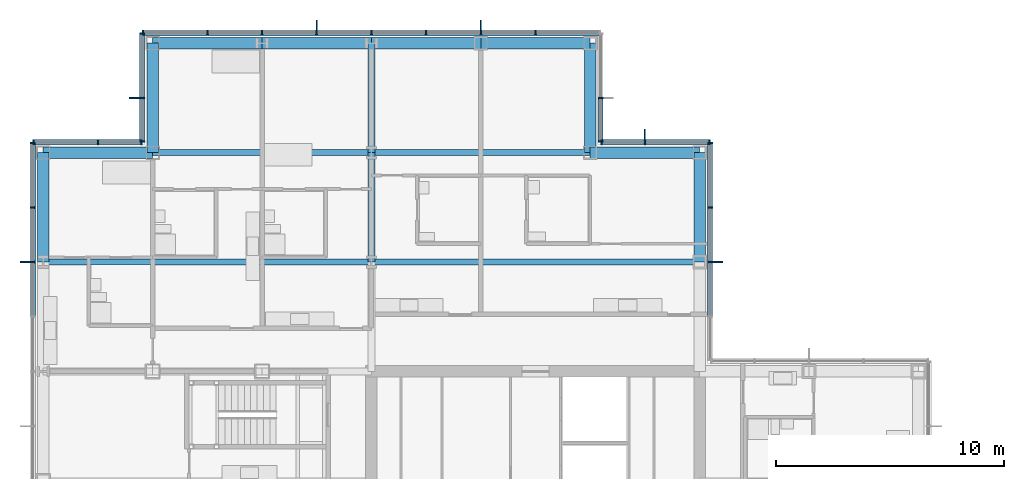
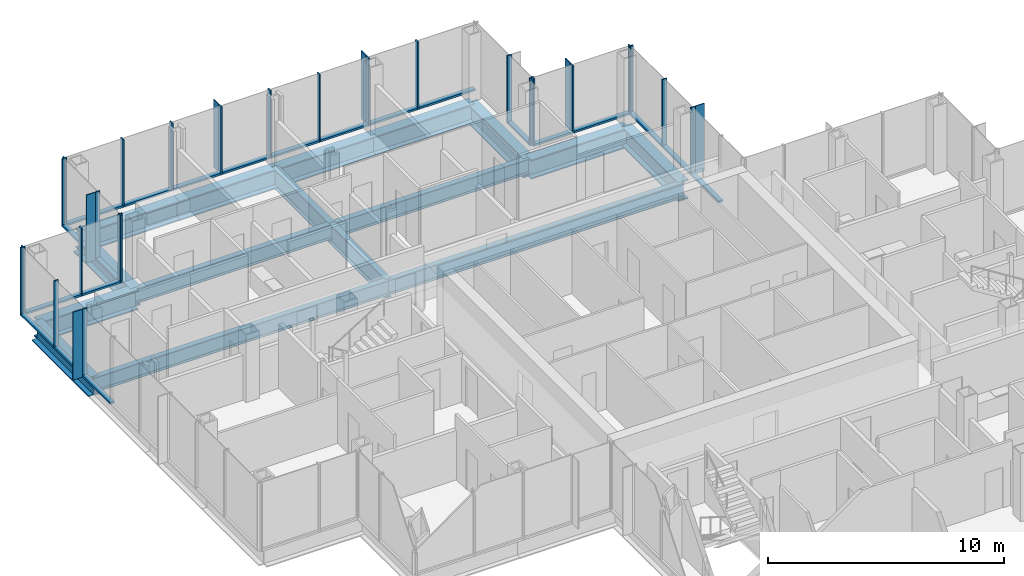
# One storey, part 10 of 20: 52 members, 16 beams, 7 elements without a shape of their own.
"""IFC4 building model written with IfcOpenShell, lengths in metres."""

import ifcopenshell
import ifcopenshell.guid

model = None  # the IFC model being written
_history = None  # IfcOwnerHistory: only IFC2X3 demands one
_inside = {}  # id of a spatial element -> (the spatial element, [elements in it])
_under = {}  # id of a project, library or spatial element -> (it, [spatial elements below it])
_declared = {}  # id of a project -> (the project, [libraries it declares])
_typed = {}  # id of a type object -> (the type object, [elements of that type])
_made_of = {}  # id of a material, layer set ... -> (it, [elements and type objects made of it])


def new_model(schema):
    """Start an empty IFC model of exactly this schema.

    Asked for "IFC4X3", IfcOpenShell would pick the latest addendum, in which some entities
    have other attributes; the version numbers below select the first issue.
    IFC2X3 requires an IfcOwnerHistory on every rooted entity: one is made here for all.
    """
    global model, _history
    if schema == "IFC4X3":
        model = ifcopenshell.file(schema_version=(4, 3, 0, 0))
    else:
        model = ifcopenshell.file(schema=schema)
    _inside.clear()
    _under.clear()
    _declared.clear()
    _typed.clear()
    _made_of.clear()
    _history = None
    if model.schema == "IFC2X3":
        org = make("IfcOrganization", Name="unknown")
        user = make(
            "IfcPersonAndOrganization",
            ThePerson=make("IfcPerson", FamilyName="unknown"),
            TheOrganization=org,
        )
        app = make(
            "IfcApplication",
            ApplicationDeveloper=org,
            Version="unknown",
            ApplicationFullName="unknown",
            ApplicationIdentifier="unknown",
        )
        _history = make(
            "IfcOwnerHistory",
            OwningUser=user,
            OwningApplication=app,
            ChangeAction="ADDED",
            CreationDate=0,
        )
    return model


def make(cls, **values):
    """One entity of the class cls with the attributes given. An attribute that is None is left unset."""
    return model.create_entity(
        cls, **{name: value for name, value in values.items() if value is not None}
    )


def rooted(cls, **values):
    """An entity with a GlobalId (a new one), such as an element, a storey or a relation."""
    return make(cls, GlobalId=ifcopenshell.guid.new(), OwnerHistory=_history, **values)


def si_unit(unit_type, name, prefix=None):
    """IfcSIUnit, for example si_unit("LENGTHUNIT", "METRE", prefix="MILLI")."""
    return make("IfcSIUnit", UnitType=unit_type, Prefix=prefix, Name=name)


def assignment(units):
    """IfcUnitAssignment: the units of a project."""
    return None if units is None else make("IfcUnitAssignment", Units=units)


def point(xyz):
    """IfcCartesianPoint."""
    return None if xyz is None else make("IfcCartesianPoint", Coordinates=xyz)


def direction(xyz):
    """IfcDirection."""
    return None if xyz is None else make("IfcDirection", DirectionRatios=xyz)


def frame(location, z_axis=None, x_axis=None):
    """IfcAxis2Placement3D, a coordinate frame: its origin and axes. An axis left out is left unset."""
    return make(
        "IfcAxis2Placement3D",
        Location=point(location),
        Axis=direction(z_axis),
        RefDirection=direction(x_axis),
    )


def frame_2d(location, x_axis=None):
    """IfcAxis2Placement2D, a coordinate frame in the plane: its origin and x axis."""
    return make(
        "IfcAxis2Placement2D", Location=point(location), RefDirection=direction(x_axis)
    )


def origin():
    """The frame at (0, 0, 0) with its axes left unset."""
    return frame((0.0, 0.0, 0.0))


def origin_2d():
    """The frame at (0, 0) in the plane with its x axis left unset."""
    return frame_2d((0.0, 0.0))


def place(relative_to, where):
    """IfcLocalPlacement: puts the frame where relative to a parent placement (None: the world)."""
    return make(
        "IfcLocalPlacement", PlacementRelTo=relative_to, RelativePlacement=where
    )


def context(
    kind, dimensions, precision=None, world=None, true_north=None, identifier=None
):
    """IfcGeometricRepresentationContext, for example the 3D "Model" context."""
    return make(
        "IfcGeometricRepresentationContext",
        ContextIdentifier=identifier,
        ContextType=kind,
        CoordinateSpaceDimension=dimensions,
        Precision=precision,
        WorldCoordinateSystem=world,
        TrueNorth=true_north,
    )


def subcontext(parent, identifier, kind, view, scale=None):
    """IfcGeometricRepresentationSubContext, for example "Body" below "Model"."""
    return make(
        "IfcGeometricRepresentationSubContext",
        ContextIdentifier=identifier,
        ContextType=kind,
        ParentContext=parent,
        TargetScale=scale,
        TargetView=view,
    )


def project(units=None, contexts=None):
    """IfcProject with its units and contexts."""
    return rooted(
        "IfcProject",
        Name="project",
        RepresentationContexts=contexts,
        UnitsInContext=assignment(units),
    )


def spatial(cls, under=None, at=None, **own):
    """A site, building, storey or space (cls), placed at a placement, below another one or the project."""
    s = rooted(cls, ObjectPlacement=at, **own)
    if under is not None:
        _under.setdefault(under.id(), (under, []))[1].append(s)
    return s


def profile(cls, at=None, kind="AREA", **sizes):
    """A parametric profile (cls). Its sizes go by their IFC names, for example OverallWidth=200.0."""
    return make(cls, ProfileType=kind, Position=at, **sizes)


def rectangle(**sizes):
    """IfcRectangleProfileDef."""
    return profile("IfcRectangleProfileDef", **sizes)


def i_section(**sizes):
    """IfcIShapeProfileDef."""
    return profile("IfcIShapeProfileDef", **sizes)


def extrude(swept, where, along, depth):
    """IfcExtrudedAreaSolid: the profile swept, set in the frame where, extruded along a direction by depth."""
    return make(
        "IfcExtrudedAreaSolid",
        SweptArea=swept,
        Position=where,
        ExtrudedDirection=direction(along),
        Depth=depth,
    )


def shape(context_of_items, identifier, shape_type, items):
    """IfcShapeRepresentation: the items that make up one representation, for example the "Body"."""
    return make(
        "IfcShapeRepresentation",
        ContextOfItems=context_of_items,
        RepresentationIdentifier=identifier,
        RepresentationType=shape_type,
        Items=items,
    )


def material(Name=None, Category=None):
    """IfcMaterial."""
    return make("IfcMaterial", Name=Name, Category=Category)


def material_profile(
    of_material, cross_section, Name=None, Category=None, Priority=None
):
    """IfcMaterialProfile: a cross section and its material."""
    return make(
        "IfcMaterialProfile",
        Name=Name,
        Material=of_material,
        Profile=cross_section,
        Priority=Priority,
        Category=Category,
    )


def profile_set(profiles, Name=None, composite=None):
    """IfcMaterialProfileSet."""
    return make(
        "IfcMaterialProfileSet",
        Name=Name,
        MaterialProfiles=profiles,
        CompositeProfile=composite,
    )


def made_of(thing, what):
    """Note that an element or type object is made of a material, layer set ...; save() writes the relation."""
    if what is not None:
        _made_of.setdefault(what.id(), (what, []))[1].append(thing)
    return thing


def type_object(cls, material=None, **own):
    """A type object (cls), such as IfcWallType, which elements share."""
    return made_of(rooted(cls, **own), material)


def element(
    cls,
    number,
    at=None,
    inside=None,
    cuts=None,
    type_object=None,
    material=None,
    context=None,
    identifier="Body",
    shape_type=None,
    held_by="IfcProductDefinitionShape",
    body=None,
    shapes=None,
    **own,
):
    """One element of the class cls, such as IfcWall. Its Tag is "e" and its number.

    at: its placement. inside: the storey or other place that contains it. cuts: it is an
    opening in that element (IfcRelVoidsElement). A single representation is given by context,
    identifier, shape_type and body (its items); several are given by shapes. held_by: the class
    of the entity that holds the representations. save() writes the other relations.
    """
    e = rooted(cls, Tag="e%d" % number, ObjectPlacement=at, **own)
    if body is not None:
        shapes = [shape(context, identifier, shape_type, body)]
    if shapes is not None:
        e.Representation = make(held_by, Representations=shapes)
    if inside is not None:
        _inside.setdefault(inside.id(), (inside, []))[1].append(e)
    if cuts is not None:
        rooted(
            "IfcRelVoidsElement", RelatingBuildingElement=cuts, RelatedOpeningElement=e
        )
    if type_object is not None:
        _typed.setdefault(type_object.id(), (type_object, []))[1].append(e)
    return made_of(e, material)


def aggregate(whole, parts):
    """IfcRelAggregates: a whole, such as a stair, and the parts it consists of."""
    return rooted("IfcRelAggregates", RelatingObject=whole, RelatedObjects=parts)


def save(model, path):
    """Write the relations noted so far, then the file.

    IfcRelAggregates (storeys below a building ...), IfcRelContainedInSpatialStructure (elements
    in a storey), IfcRelDefinesByType, IfcRelAssociatesMaterial and IfcRelDeclares: one each for
    every whole, place, type object, material and project.
    """
    for whole, parts in _under.values():
        aggregate(whole, parts)
    for where, things in _inside.values():
        rooted(
            "IfcRelContainedInSpatialStructure",
            RelatedElements=things,
            RelatingStructure=where,
        )
    for kind, things in _typed.values():
        rooted("IfcRelDefinesByType", RelatedObjects=things, RelatingType=kind)
    for what, things in _made_of.values():
        rooted("IfcRelAssociatesMaterial", RelatedObjects=things, RelatingMaterial=what)
    for by, libraries in _declared.values():
        rooted("IfcRelDeclares", RelatingContext=by, RelatedDefinitions=libraries)
    model.write(path)


model = new_model("IFC4")

# Units and contexts
model_context = context("Model", 3, precision=1e-05, world=origin(), true_north=direction((0.0, 1.0)))
body_context = subcontext(model_context, "Body", "Model", "MODEL_VIEW")
ifc_project = project(units=[si_unit("LENGTHUNIT", "METRE"), si_unit("AREAUNIT", "SQUARE_METRE"), si_unit("VOLUMEUNIT", "CUBIC_METRE"), si_unit("PLANEANGLEUNIT", "RADIAN"), si_unit("MASSUNIT", "GRAM", prefix="KILO")], contexts=[model_context])

# Site, building, storey
site_placement = place(None, origin())
site = spatial("IfcSite", under=ifc_project, at=site_placement, CompositionType="ELEMENT")
building_placement = place(site_placement, origin())
building = spatial("IfcBuilding", under=site, at=building_placement, Name="Kvirike Care Tower", CompositionType="ELEMENT")
storey_placement = place(building_placement, frame((0.0, 0.0, 105.0)))
storey = spatial("IfcBuildingStorey", under=building, at=storey_placement, Name="L28", CompositionType="ELEMENT", Elevation=105.0)

# Curtain wall, member
ifc_material_1 = material(Name="Anodised aluminium stick system", Category="aluminium")
curtain_wall_type = type_object("IfcCurtainWallType", Name="CW-B STICK CURTAIN WALL", PredefinedType="NOTDEFINED", material=ifc_material_1)
curtain_wall_1_placement = place(storey_placement, origin())
curtain_wall_1 = element("IfcCurtainWall", 1, at=curtain_wall_1_placement, inside=storey, type_object=curtain_wall_type, Name="Curtain wall L28 face 5", PredefinedType="NOTDEFINED")
ifc_material_2 = material(Name="Bronze anodised aluminium fin", Category="aluminium")
ifc_material_profile_1 = material_profile(ifc_material_2, rectangle(XDim=0.050048828125, YDim=0.449951171875, at=origin_2d()), Name="BRONZE FIN 450")
ifc_profile_set_1 = profile_set([ifc_material_profile_1], Name="Bronze anodised aluminium fin")
member_type_1 = type_object("IfcMemberType", Name="BRONZE FIN 450", PredefinedType="USERDEFINED", material=ifc_profile_set_1)
member_1_placement = place(storey_placement, frame((29.594970703125, 48.0, 0.0), z_axis=(0.0, 0.0, 1.0), x_axis=(0.0, 1.0, 0.0)))
member_1 = element("IfcMember", 2, at=member_1_placement, type_object=member_type_1, Name="Bronze fin L28 face 5.3", ObjectType="FIN", PredefinedType="USERDEFINED", context=body_context, shape_type="SweptSolid", body=[
    extrude(rectangle(XDim=0.050048828125, YDim=0.449951171875, at=origin_2d()), origin(), (0.0, 0.0, 1.0), 3.5),
])

curtain_wall_2_placement = place(storey_placement, origin())
curtain_wall_2 = element("IfcCurtainWall", 3, at=curtain_wall_2_placement, inside=storey, type_object=curtain_wall_type, Name="Curtain wall L28 face 6", PredefinedType="NOTDEFINED")
member_2_placement = place(storey_placement, frame((26.39990234375, 53.594970703125, 0.0), z_axis=(0.0, 0.0, 1.0), x_axis=(-1.0, 0.0, 0.0)))
member_2 = element("IfcMember", 4, at=member_2_placement, type_object=member_type_1, Name="Bronze fin L28 face 6.2", ObjectType="FIN", PredefinedType="USERDEFINED", context=body_context, shape_type="SweptSolid", body=[
    extrude(rectangle(XDim=0.050048828125, YDim=0.449951171875, at=origin_2d()), origin(), (0.0, 0.0, 1.0), 3.5),
])

# Curtain wall, members
curtain_wall_3_placement = place(storey_placement, origin())
curtain_wall_3 = element("IfcCurtainWall", 5, at=curtain_wall_3_placement, inside=storey, type_object=curtain_wall_type, Name="Curtain wall L28 face 8", PredefinedType="NOTDEFINED")
member_3_placement = place(storey_placement, frame((19.199951171875, 58.39501953125, 0.0), z_axis=(0.0, 0.0, 1.0), x_axis=(-1.0, 0.0, 0.0)))
member_3 = element("IfcMember", 6, at=member_3_placement, type_object=member_type_1, Name="Bronze fin L28 face 8.3", ObjectType="FIN", PredefinedType="USERDEFINED", context=body_context, shape_type="SweptSolid", body=[
    extrude(rectangle(XDim=0.050048828125, YDim=0.449951171875, at=origin_2d()), origin(), (0.0, 0.0, 1.0), 3.5),
])
member_4_placement = place(storey_placement, frame((12.0, 58.39501953125, 0.0), z_axis=(0.0, 0.0, 1.0), x_axis=(-1.0, 0.0, 0.0)))
member_4 = element("IfcMember", 7, at=member_4_placement, type_object=member_type_1, Name="Bronze fin L28 face 8.6", ObjectType="FIN", PredefinedType="USERDEFINED", context=body_context, shape_type="SweptSolid", body=[
    extrude(rectangle(XDim=0.050048828125, YDim=0.449951171875, at=origin_2d()), origin(), (0.0, 0.0, 1.0), 3.5),
])

# Curtain wall, member
curtain_wall_4_placement = place(storey_placement, origin())
curtain_wall_4 = element("IfcCurtainWall", 8, at=curtain_wall_4_placement, inside=storey, type_object=curtain_wall_type, Name="Curtain wall L28 face 9", PredefinedType="NOTDEFINED")
member_5_placement = place(storey_placement, frame((4.0048828125, 55.199951171875, 0.0), z_axis=(0.0, 0.0, 1.0), x_axis=(0.0, -1.0, 0.0)))
member_5 = element("IfcMember", 9, at=member_5_placement, type_object=member_type_1, Name="Bronze fin L28 face 9.2", ObjectType="FIN", PredefinedType="USERDEFINED", context=body_context, shape_type="SweptSolid", body=[
    extrude(rectangle(XDim=0.050048828125, YDim=0.449951171875, at=origin_2d()), origin(), (0.0, 0.0, 1.0), 3.5),
])

curtain_wall_5_placement = place(storey_placement, origin())
curtain_wall_5 = element("IfcCurtainWall", 10, at=curtain_wall_5_placement, inside=storey, type_object=curtain_wall_type, Name="Curtain wall L28 face 11", PredefinedType="NOTDEFINED")
member_6_placement = place(storey_placement, frame((-0.794921875, 48.0, 0.0), z_axis=(0.0, 0.0, 1.0), x_axis=(0.0, -1.0, 0.0)))
member_6 = element("IfcMember", 11, at=member_6_placement, type_object=member_type_1, Name="Bronze fin L28 face 11.3", ObjectType="FIN", PredefinedType="USERDEFINED", context=body_context, shape_type="SweptSolid", body=[
    extrude(rectangle(XDim=0.050048828125, YDim=0.449951171875, at=origin_2d()), origin(), (0.0, 0.0, 1.0), 3.5),
])

# Member
ifc_material_3 = material(Name="Bronze anodised aluminium mullion", Category="aluminium")
ifc_material_profile_2 = material_profile(ifc_material_3, rectangle(XDim=0.06494140625, YDim=0.219970703125, at=origin_2d()), Name="CW-B MULLION 65x220")
ifc_profile_set_2 = profile_set([ifc_material_profile_2], Name="Bronze anodised aluminium mullion")
member_type_2 = type_object("IfcMemberType", Name="CW-B MULLION 65x220", PredefinedType="MULLION", material=ifc_profile_set_2)
member_7_placement = place(storey_placement, frame((29.260009765625, 48.0, 0.0), z_axis=(0.0, 0.0, 1.0), x_axis=(0.0, 1.0, 0.0)))
member_7 = element("IfcMember", 12, at=member_7_placement, type_object=member_type_2, Name="CW-B mullion L28 face 5.3", PredefinedType="MULLION", context=body_context, shape_type="SweptSolid", body=[
    extrude(rectangle(XDim=0.06494140625, YDim=0.219970703125, at=origin_2d()), origin(), (0.0, 0.0, 1.0), 3.5),
])

member_8_placement = place(storey_placement, frame((29.260009765625, 50.39990234375, 0.0), z_axis=(0.0, 0.0, 1.0), x_axis=(0.0, 1.0, 0.0)))
member_8 = element("IfcMember", 13, at=member_8_placement, type_object=member_type_2, Name="CW-B mullion L28 face 5.4", PredefinedType="MULLION", context=body_context, shape_type="SweptSolid", body=[
    extrude(rectangle(XDim=0.06494140625, YDim=0.219970703125, at=origin_2d()), origin(), (0.0, 0.0, 1.0), 3.5),
])

member_9_placement = place(storey_placement, frame((29.260009765625, 53.2275390625, 0.0), z_axis=(0.0, 0.0, 1.0), x_axis=(0.0, 1.0, 0.0)))
member_9 = element("IfcMember", 14, at=member_9_placement, type_object=member_type_2, Name="CW-B mullion L28 face 5.5", PredefinedType="MULLION", context=body_context, shape_type="SweptSolid", body=[
    extrude(rectangle(XDim=0.06494140625, YDim=0.219970703125, at=origin_2d()), origin(), (0.0, 0.0, 1.0), 3.5),
])

member_10_placement = place(storey_placement, frame((29.2275390625, 53.260009765625, 0.0), z_axis=(0.0, 0.0, 1.0), x_axis=(-1.0, 0.0, 0.0)))
member_10 = element("IfcMember", 15, at=member_10_placement, type_object=member_type_2, Name="CW-B mullion L28 face 6.1", PredefinedType="MULLION", context=body_context, shape_type="SweptSolid", body=[
    extrude(rectangle(XDim=0.06494140625, YDim=0.219970703125, at=origin_2d()), origin(), (0.0, 0.0, 1.0), 3.5),
])

member_11_placement = place(storey_placement, frame((26.39990234375, 53.260009765625, 0.0), z_axis=(0.0, 0.0, 1.0), x_axis=(-1.0, 0.0, 0.0)))
member_11 = element("IfcMember", 16, at=member_11_placement, type_object=member_type_2, Name="CW-B mullion L28 face 6.2", PredefinedType="MULLION", context=body_context, shape_type="SweptSolid", body=[
    extrude(rectangle(XDim=0.06494140625, YDim=0.219970703125, at=origin_2d()), origin(), (0.0, 0.0, 1.0), 3.5),
])

member_12_placement = place(storey_placement, frame((24.492431640625, 53.260009765625, 0.0), z_axis=(0.0, 0.0, 1.0), x_axis=(-1.0, 0.0, 0.0)))
member_12 = element("IfcMember", 17, at=member_12_placement, type_object=member_type_2, Name="CW-B mullion L28 face 6.3", PredefinedType="MULLION", context=body_context, shape_type="SweptSolid", body=[
    extrude(rectangle(XDim=0.06494140625, YDim=0.219970703125, at=origin_2d()), origin(), (0.0, 0.0, 1.0), 3.5),
])

# Curtain wall, members
curtain_wall_6_placement = place(storey_placement, origin())
curtain_wall_6 = element("IfcCurtainWall", 18, at=curtain_wall_6_placement, inside=storey, type_object=curtain_wall_type, Name="Curtain wall L28 face 7", PredefinedType="NOTDEFINED")
member_13_placement = place(storey_placement, frame((24.4599609375, 53.29248046875, 0.0), z_axis=(0.0, 0.0, 1.0), x_axis=(0.0, 1.0, 0.0)))
member_13 = element("IfcMember", 19, at=member_13_placement, type_object=member_type_2, Name="CW-B mullion L28 face 7.1", PredefinedType="MULLION", context=body_context, shape_type="SweptSolid", body=[
    extrude(rectangle(XDim=0.06494140625, YDim=0.219970703125, at=origin_2d()), origin(), (0.0, 0.0, 1.0), 3.5),
])
member_14_placement = place(storey_placement, frame((24.4599609375, 55.199951171875, 0.0), z_axis=(0.0, 0.0, 1.0), x_axis=(0.0, 1.0, 0.0)))
member_14 = element("IfcMember", 20, at=member_14_placement, type_object=member_type_2, Name="CW-B mullion L28 face 7.2", PredefinedType="MULLION", context=body_context, shape_type="SweptSolid", body=[
    extrude(rectangle(XDim=0.06494140625, YDim=0.219970703125, at=origin_2d()), origin(), (0.0, 0.0, 1.0), 3.5),
])

# Member
member_15_placement = place(storey_placement, frame((21.60009765625, 58.06005859375, 0.0), z_axis=(0.0, 0.0, 1.0), x_axis=(-1.0, 0.0, 0.0)))
member_15 = element("IfcMember", 21, at=member_15_placement, type_object=member_type_2, Name="CW-B mullion L28 face 8.2", PredefinedType="MULLION", context=body_context, shape_type="SweptSolid", body=[
    extrude(rectangle(XDim=0.06494140625, YDim=0.219970703125, at=origin_2d()), origin(), (0.0, 0.0, 1.0), 3.5),
])

member_16_placement = place(storey_placement, frame((19.199951171875, 58.06005859375, 0.0), z_axis=(0.0, 0.0, 1.0), x_axis=(-1.0, 0.0, 0.0)))
member_16 = element("IfcMember", 22, at=member_16_placement, type_object=member_type_2, Name="CW-B mullion L28 face 8.3", PredefinedType="MULLION", context=body_context, shape_type="SweptSolid", body=[
    extrude(rectangle(XDim=0.06494140625, YDim=0.219970703125, at=origin_2d()), origin(), (0.0, 0.0, 1.0), 3.5),
])

member_17_placement = place(storey_placement, frame((16.800048828125, 58.06005859375, 0.0), z_axis=(0.0, 0.0, 1.0), x_axis=(-1.0, 0.0, 0.0)))
member_17 = element("IfcMember", 23, at=member_17_placement, type_object=member_type_2, Name="CW-B mullion L28 face 8.4", PredefinedType="MULLION", context=body_context, shape_type="SweptSolid", body=[
    extrude(rectangle(XDim=0.06494140625, YDim=0.219970703125, at=origin_2d()), origin(), (0.0, 0.0, 1.0), 3.5),
])

member_18_placement = place(storey_placement, frame((14.39990234375, 58.06005859375, 0.0), z_axis=(0.0, 0.0, 1.0), x_axis=(-1.0, 0.0, 0.0)))
member_18 = element("IfcMember", 24, at=member_18_placement, type_object=member_type_2, Name="CW-B mullion L28 face 8.5", PredefinedType="MULLION", context=body_context, shape_type="SweptSolid", body=[
    extrude(rectangle(XDim=0.06494140625, YDim=0.219970703125, at=origin_2d()), origin(), (0.0, 0.0, 1.0), 3.5),
])

member_19_placement = place(storey_placement, frame((12.0, 58.06005859375, 0.0), z_axis=(0.0, 0.0, 1.0), x_axis=(-1.0, 0.0, 0.0)))
member_19 = element("IfcMember", 25, at=member_19_placement, type_object=member_type_2, Name="CW-B mullion L28 face 8.6", PredefinedType="MULLION", context=body_context, shape_type="SweptSolid", body=[
    extrude(rectangle(XDim=0.06494140625, YDim=0.219970703125, at=origin_2d()), origin(), (0.0, 0.0, 1.0), 3.5),
])

member_20_placement = place(storey_placement, frame((9.60009765625, 58.06005859375, 0.0), z_axis=(0.0, 0.0, 1.0), x_axis=(-1.0, 0.0, 0.0)))
member_20 = element("IfcMember", 26, at=member_20_placement, type_object=member_type_2, Name="CW-B mullion L28 face 8.7", PredefinedType="MULLION", context=body_context, shape_type="SweptSolid", body=[
    extrude(rectangle(XDim=0.06494140625, YDim=0.219970703125, at=origin_2d()), origin(), (0.0, 0.0, 1.0), 3.5),
])

member_21_placement = place(storey_placement, frame((7.199951171875, 58.06005859375, 0.0), z_axis=(0.0, 0.0, 1.0), x_axis=(-1.0, 0.0, 0.0)))
member_21 = element("IfcMember", 27, at=member_21_placement, type_object=member_type_2, Name="CW-B mullion L28 face 8.8", PredefinedType="MULLION", context=body_context, shape_type="SweptSolid", body=[
    extrude(rectangle(XDim=0.06494140625, YDim=0.219970703125, at=origin_2d()), origin(), (0.0, 0.0, 1.0), 3.5),
])

member_22_placement = place(storey_placement, frame((4.37255859375, 58.06005859375, 0.0), z_axis=(0.0, 0.0, 1.0), x_axis=(-1.0, 0.0, 0.0)))
member_22 = element("IfcMember", 28, at=member_22_placement, type_object=member_type_2, Name="CW-B mullion L28 face 8.9", PredefinedType="MULLION", context=body_context, shape_type="SweptSolid", body=[
    extrude(rectangle(XDim=0.06494140625, YDim=0.219970703125, at=origin_2d()), origin(), (0.0, 0.0, 1.0), 3.5),
])

member_23_placement = place(storey_placement, frame((4.340087890625, 58.027587890625, 0.0), z_axis=(0.0, 0.0, 1.0), x_axis=(0.0, -1.0, 0.0)))
member_23 = element("IfcMember", 29, at=member_23_placement, type_object=member_type_2, Name="CW-B mullion L28 face 9.1", PredefinedType="MULLION", context=body_context, shape_type="SweptSolid", body=[
    extrude(rectangle(XDim=0.06494140625, YDim=0.219970703125, at=origin_2d()), origin(), (0.0, 0.0, 1.0), 3.5),
])

member_24_placement = place(storey_placement, frame((4.340087890625, 55.199951171875, 0.0), z_axis=(0.0, 0.0, 1.0), x_axis=(0.0, -1.0, 0.0)))
member_24 = element("IfcMember", 30, at=member_24_placement, type_object=member_type_2, Name="CW-B mullion L28 face 9.2", PredefinedType="MULLION", context=body_context, shape_type="SweptSolid", body=[
    extrude(rectangle(XDim=0.06494140625, YDim=0.219970703125, at=origin_2d()), origin(), (0.0, 0.0, 1.0), 3.5),
])

member_25_placement = place(storey_placement, frame((4.340087890625, 53.29248046875, 0.0), z_axis=(0.0, 0.0, 1.0), x_axis=(0.0, -1.0, 0.0)))
member_25 = element("IfcMember", 31, at=member_25_placement, type_object=member_type_2, Name="CW-B mullion L28 face 9.3", PredefinedType="MULLION", context=body_context, shape_type="SweptSolid", body=[
    extrude(rectangle(XDim=0.06494140625, YDim=0.219970703125, at=origin_2d()), origin(), (0.0, 0.0, 1.0), 3.5),
])

# Curtain wall, members
curtain_wall_7_placement = place(storey_placement, origin())
curtain_wall_7 = element("IfcCurtainWall", 32, at=curtain_wall_7_placement, inside=storey, type_object=curtain_wall_type, Name="Curtain wall L28 face 10", PredefinedType="NOTDEFINED")
member_26_placement = place(storey_placement, frame((4.3076171875, 53.260009765625, 0.0), z_axis=(0.0, 0.0, 1.0), x_axis=(-1.0, 0.0, 0.0)))
member_26 = element("IfcMember", 33, at=member_26_placement, type_object=member_type_2, Name="CW-B mullion L28 face 10.1", PredefinedType="MULLION", context=body_context, shape_type="SweptSolid", body=[
    extrude(rectangle(XDim=0.06494140625, YDim=0.219970703125, at=origin_2d()), origin(), (0.0, 0.0, 1.0), 3.5),
])
member_27_placement = place(storey_placement, frame((2.39990234375, 53.260009765625, 0.0), z_axis=(0.0, 0.0, 1.0), x_axis=(-1.0, 0.0, 0.0)))
member_27 = element("IfcMember", 34, at=member_27_placement, type_object=member_type_2, Name="CW-B mullion L28 face 10.2", PredefinedType="MULLION", context=body_context, shape_type="SweptSolid", body=[
    extrude(rectangle(XDim=0.06494140625, YDim=0.219970703125, at=origin_2d()), origin(), (0.0, 0.0, 1.0), 3.5),
])
member_28_placement = place(storey_placement, frame((-0.427490234375, 53.260009765625, 0.0), z_axis=(0.0, 0.0, 1.0), x_axis=(-1.0, 0.0, 0.0)))
member_28 = element("IfcMember", 35, at=member_28_placement, type_object=member_type_2, Name="CW-B mullion L28 face 10.3", PredefinedType="MULLION", context=body_context, shape_type="SweptSolid", body=[
    extrude(rectangle(XDim=0.06494140625, YDim=0.219970703125, at=origin_2d()), origin(), (0.0, 0.0, 1.0), 3.5),
])

# Member
member_29_placement = place(storey_placement, frame((-0.4599609375, 53.2275390625, 0.0), z_axis=(0.0, 0.0, 1.0), x_axis=(0.0, -1.0, 0.0)))
member_29 = element("IfcMember", 36, at=member_29_placement, type_object=member_type_2, Name="CW-B mullion L28 face 11.1", PredefinedType="MULLION", context=body_context, shape_type="SweptSolid", body=[
    extrude(rectangle(XDim=0.06494140625, YDim=0.219970703125, at=origin_2d()), origin(), (0.0, 0.0, 1.0), 3.5),
])

member_30_placement = place(storey_placement, frame((-0.4599609375, 50.39990234375, 0.0), z_axis=(0.0, 0.0, 1.0), x_axis=(0.0, -1.0, 0.0)))
member_30 = element("IfcMember", 37, at=member_30_placement, type_object=member_type_2, Name="CW-B mullion L28 face 11.2", PredefinedType="MULLION", context=body_context, shape_type="SweptSolid", body=[
    extrude(rectangle(XDim=0.06494140625, YDim=0.219970703125, at=origin_2d()), origin(), (0.0, 0.0, 1.0), 3.5),
])

member_31_placement = place(storey_placement, frame((-0.4599609375, 48.0, 0.0), z_axis=(0.0, 0.0, 1.0), x_axis=(0.0, -1.0, 0.0)))
member_31 = element("IfcMember", 38, at=member_31_placement, type_object=member_type_2, Name="CW-B mullion L28 face 11.3", PredefinedType="MULLION", context=body_context, shape_type="SweptSolid", body=[
    extrude(rectangle(XDim=0.06494140625, YDim=0.219970703125, at=origin_2d()), origin(), (0.0, 0.0, 1.0), 3.5),
])

ifc_material_4 = material(Name="Bronze anodised aluminium transom", Category="aluminium")
ifc_material_profile_3 = material_profile(ifc_material_4, rectangle(XDim=0.219970703125, YDim=0.10009765625, at=origin_2d()), Name="CW-B TRANSOM 220x100")
ifc_profile_set_3 = profile_set([ifc_material_profile_3], Name="Bronze anodised aluminium transom")
member_type_3 = type_object("IfcMemberType", Name="CW-B TRANSOM 220x100", PredefinedType="USERDEFINED", material=ifc_profile_set_3)
member_32_placement = place(storey_placement, frame((29.260009765625, 45.632568359375, 0.050048828125), z_axis=(0.0, 1.0, 0.0), x_axis=(-1.0, 0.0, 0.0)))
member_32 = element("IfcMember", 39, at=member_32_placement, type_object=member_type_3, Name="CW-B sill transom L28 face 5.2", ObjectType="TRANSOM", PredefinedType="USERDEFINED", context=body_context, shape_type="SweptSolid", body=[
    extrude(rectangle(XDim=0.219970703125, YDim=0.10009765625, at=origin_2d()), origin(), (0.0, 0.0, 1.0), 2.3349609375),
])

member_33_placement = place(storey_placement, frame((29.260009765625, 48.032470703125, 0.050048828125), z_axis=(0.0, 1.0, 0.0), x_axis=(-1.0, 0.0, 0.0)))
member_33 = element("IfcMember", 40, at=member_33_placement, type_object=member_type_3, Name="CW-B sill transom L28 face 5.3", ObjectType="TRANSOM", PredefinedType="USERDEFINED", context=body_context, shape_type="SweptSolid", body=[
    extrude(rectangle(XDim=0.219970703125, YDim=0.10009765625, at=origin_2d()), origin(), (0.0, 0.0, 1.0), 2.3349609375),
])

member_34_placement = place(storey_placement, frame((29.260009765625, 50.4326171875, 0.050048828125), z_axis=(0.0, 1.0, 0.0), x_axis=(-1.0, 0.0, 0.0)))
member_34 = element("IfcMember", 41, at=member_34_placement, type_object=member_type_3, Name="CW-B sill transom L28 face 5.4", ObjectType="TRANSOM", PredefinedType="USERDEFINED", context=body_context, shape_type="SweptSolid", body=[
    extrude(rectangle(XDim=0.219970703125, YDim=0.10009765625, at=origin_2d()), origin(), (0.0, 0.0, 1.0), 2.762451171875),
])

aggregate(curtain_wall_1, [member_7, member_1, member_8, member_9, member_32, member_33, member_34])

member_35_placement = place(storey_placement, frame((29.195068359375, 53.260009765625, 0.050048828125), z_axis=(-1.0, 0.0, 0.0), x_axis=(0.0, -1.0, 0.0)))
member_35 = element("IfcMember", 42, at=member_35_placement, type_object=member_type_3, Name="CW-B sill transom L28 face 6.1", ObjectType="TRANSOM", PredefinedType="USERDEFINED", context=body_context, shape_type="SweptSolid", body=[
    extrude(rectangle(XDim=0.219970703125, YDim=0.10009765625, at=origin_2d()), origin(), (0.0, 0.0, 1.0), 2.762451171875),
])

member_36_placement = place(storey_placement, frame((26.367431640625, 53.260009765625, 0.050048828125), z_axis=(-1.0, 0.0, 0.0), x_axis=(0.0, -1.0, 0.0)))
member_36 = element("IfcMember", 43, at=member_36_placement, type_object=member_type_3, Name="CW-B sill transom L28 face 6.2", ObjectType="TRANSOM", PredefinedType="USERDEFINED", context=body_context, shape_type="SweptSolid", body=[
    extrude(rectangle(XDim=0.219970703125, YDim=0.10009765625, at=origin_2d()), origin(), (0.0, 0.0, 1.0), 1.842529296875),
])

aggregate(curtain_wall_2, [member_10, member_11, member_2, member_12, member_35, member_36])

member_37_placement = place(storey_placement, frame((24.4599609375, 53.324951171875, 0.050048828125), z_axis=(0.0, 1.0, 0.0), x_axis=(-1.0, 0.0, 0.0)))
member_37 = element("IfcMember", 44, at=member_37_placement, type_object=member_type_3, Name="CW-B sill transom L28 face 7.1", ObjectType="TRANSOM", PredefinedType="USERDEFINED", context=body_context, shape_type="SweptSolid", body=[
    extrude(rectangle(XDim=0.219970703125, YDim=0.10009765625, at=origin_2d()), origin(), (0.0, 0.0, 1.0), 1.842529296875),
])

aggregate(curtain_wall_6, [member_13, member_14, member_37])

member_38_placement = place(storey_placement, frame((24.39501953125, 58.06005859375, 0.050048828125), z_axis=(-1.0, 0.0, 0.0), x_axis=(0.0, -1.0, 0.0)))
member_38 = element("IfcMember", 45, at=member_38_placement, type_object=member_type_3, Name="CW-B sill transom L28 face 8.1", ObjectType="TRANSOM", PredefinedType="USERDEFINED", context=body_context, shape_type="SweptSolid", body=[
    extrude(rectangle(XDim=0.219970703125, YDim=0.10009765625, at=origin_2d()), origin(), (0.0, 0.0, 1.0), 2.762451171875),
])

member_39_placement = place(storey_placement, frame((21.5673828125, 58.06005859375, 0.050048828125), z_axis=(-1.0, 0.0, 0.0), x_axis=(0.0, -1.0, 0.0)))
member_39 = element("IfcMember", 46, at=member_39_placement, type_object=member_type_3, Name="CW-B sill transom L28 face 8.2", ObjectType="TRANSOM", PredefinedType="USERDEFINED", context=body_context, shape_type="SweptSolid", body=[
    extrude(rectangle(XDim=0.219970703125, YDim=0.10009765625, at=origin_2d()), origin(), (0.0, 0.0, 1.0), 2.3349609375),
])

member_40_placement = place(storey_placement, frame((19.16748046875, 58.06005859375, 0.050048828125), z_axis=(-1.0, 0.0, 0.0), x_axis=(0.0, -1.0, 0.0)))
member_40 = element("IfcMember", 47, at=member_40_placement, type_object=member_type_3, Name="CW-B sill transom L28 face 8.3", ObjectType="TRANSOM", PredefinedType="USERDEFINED", context=body_context, shape_type="SweptSolid", body=[
    extrude(rectangle(XDim=0.219970703125, YDim=0.10009765625, at=origin_2d()), origin(), (0.0, 0.0, 1.0), 2.3349609375),
])

member_41_placement = place(storey_placement, frame((16.767578125, 58.06005859375, 0.050048828125), z_axis=(-1.0, 0.0, 0.0), x_axis=(0.0, -1.0, 0.0)))
member_41 = element("IfcMember", 48, at=member_41_placement, type_object=member_type_3, Name="CW-B sill transom L28 face 8.4", ObjectType="TRANSOM", PredefinedType="USERDEFINED", context=body_context, shape_type="SweptSolid", body=[
    extrude(rectangle(XDim=0.219970703125, YDim=0.10009765625, at=origin_2d()), origin(), (0.0, 0.0, 1.0), 2.3349609375),
])

member_42_placement = place(storey_placement, frame((14.367431640625, 58.06005859375, 0.050048828125), z_axis=(-1.0, 0.0, 0.0), x_axis=(0.0, -1.0, 0.0)))
member_42 = element("IfcMember", 49, at=member_42_placement, type_object=member_type_3, Name="CW-B sill transom L28 face 8.5", ObjectType="TRANSOM", PredefinedType="USERDEFINED", context=body_context, shape_type="SweptSolid", body=[
    extrude(rectangle(XDim=0.219970703125, YDim=0.10009765625, at=origin_2d()), origin(), (0.0, 0.0, 1.0), 2.3349609375),
])

member_43_placement = place(storey_placement, frame((11.967529296875, 58.06005859375, 0.050048828125), z_axis=(-1.0, 0.0, 0.0), x_axis=(0.0, -1.0, 0.0)))
member_43 = element("IfcMember", 50, at=member_43_placement, type_object=member_type_3, Name="CW-B sill transom L28 face 8.6", ObjectType="TRANSOM", PredefinedType="USERDEFINED", context=body_context, shape_type="SweptSolid", body=[
    extrude(rectangle(XDim=0.219970703125, YDim=0.10009765625, at=origin_2d()), origin(), (0.0, 0.0, 1.0), 2.3349609375),
])

member_44_placement = place(storey_placement, frame((9.5673828125, 58.06005859375, 0.050048828125), z_axis=(-1.0, 0.0, 0.0), x_axis=(0.0, -1.0, 0.0)))
member_44 = element("IfcMember", 51, at=member_44_placement, type_object=member_type_3, Name="CW-B sill transom L28 face 8.7", ObjectType="TRANSOM", PredefinedType="USERDEFINED", context=body_context, shape_type="SweptSolid", body=[
    extrude(rectangle(XDim=0.219970703125, YDim=0.10009765625, at=origin_2d()), origin(), (0.0, 0.0, 1.0), 2.3349609375),
])

member_45_placement = place(storey_placement, frame((7.16748046875, 58.06005859375, 0.050048828125), z_axis=(-1.0, 0.0, 0.0), x_axis=(0.0, -1.0, 0.0)))
member_45 = element("IfcMember", 52, at=member_45_placement, type_object=member_type_3, Name="CW-B sill transom L28 face 8.8", ObjectType="TRANSOM", PredefinedType="USERDEFINED", context=body_context, shape_type="SweptSolid", body=[
    extrude(rectangle(XDim=0.219970703125, YDim=0.10009765625, at=origin_2d()), origin(), (0.0, 0.0, 1.0), 2.762451171875),
])

aggregate(curtain_wall_3, [member_15, member_16, member_3, member_17, member_18, member_19, member_4, member_20, member_21, member_22, member_38, member_39, member_40, member_41, member_42, member_43, member_44, member_45])

member_46_placement = place(storey_placement, frame((4.340087890625, 57.9951171875, 0.050048828125), z_axis=(0.0, -1.0, 0.0), x_axis=(1.0, 0.0, 0.0)))
member_46 = element("IfcMember", 53, at=member_46_placement, type_object=member_type_3, Name="CW-B sill transom L28 face 9.1", ObjectType="TRANSOM", PredefinedType="USERDEFINED", context=body_context, shape_type="SweptSolid", body=[
    extrude(rectangle(XDim=0.219970703125, YDim=0.10009765625, at=origin_2d()), origin(), (0.0, 0.0, 1.0), 2.7626953125),
])

member_47_placement = place(storey_placement, frame((4.340087890625, 55.16748046875, 0.050048828125), z_axis=(0.0, -1.0, 0.0), x_axis=(1.0, 0.0, 0.0)))
member_47 = element("IfcMember", 54, at=member_47_placement, type_object=member_type_3, Name="CW-B sill transom L28 face 9.2", ObjectType="TRANSOM", PredefinedType="USERDEFINED", context=body_context, shape_type="SweptSolid", body=[
    extrude(rectangle(XDim=0.219970703125, YDim=0.10009765625, at=origin_2d()), origin(), (0.0, 0.0, 1.0), 1.842529296875),
])

aggregate(curtain_wall_4, [member_23, member_24, member_5, member_25, member_46, member_47])

member_48_placement = place(storey_placement, frame((4.27490234375, 53.260009765625, 0.050048828125), z_axis=(-1.0, 0.0, 0.0), x_axis=(0.0, -1.0, 0.0)))
member_48 = element("IfcMember", 55, at=member_48_placement, type_object=member_type_3, Name="CW-B sill transom L28 face 10.1", ObjectType="TRANSOM", PredefinedType="USERDEFINED", context=body_context, shape_type="SweptSolid", body=[
    extrude(rectangle(XDim=0.219970703125, YDim=0.10009765625, at=origin_2d()), origin(), (0.0, 0.0, 1.0), 1.84228515625),
])

member_49_placement = place(storey_placement, frame((2.367431640625, 53.260009765625, 0.050048828125), z_axis=(-1.0, 0.0, 0.0), x_axis=(0.0, -1.0, 0.0)))
member_49 = element("IfcMember", 56, at=member_49_placement, type_object=member_type_3, Name="CW-B sill transom L28 face 10.2", ObjectType="TRANSOM", PredefinedType="USERDEFINED", context=body_context, shape_type="SweptSolid", body=[
    extrude(rectangle(XDim=0.219970703125, YDim=0.10009765625, at=origin_2d()), origin(), (0.0, 0.0, 1.0), 2.762451171875),
])

aggregate(curtain_wall_7, [member_26, member_27, member_28, member_48, member_49])

member_50_placement = place(storey_placement, frame((-0.4599609375, 53.195068359375, 0.050048828125), z_axis=(0.0, -1.0, 0.0), x_axis=(1.0, 0.0, 0.0)))
member_50 = element("IfcMember", 57, at=member_50_placement, type_object=member_type_3, Name="CW-B sill transom L28 face 11.1", ObjectType="TRANSOM", PredefinedType="USERDEFINED", context=body_context, shape_type="SweptSolid", body=[
    extrude(rectangle(XDim=0.219970703125, YDim=0.10009765625, at=origin_2d()), origin(), (0.0, 0.0, 1.0), 2.762451171875),
])

member_51_placement = place(storey_placement, frame((-0.4599609375, 50.367431640625, 0.050048828125), z_axis=(0.0, -1.0, 0.0), x_axis=(1.0, 0.0, 0.0)))
member_51 = element("IfcMember", 58, at=member_51_placement, type_object=member_type_3, Name="CW-B sill transom L28 face 11.2", ObjectType="TRANSOM", PredefinedType="USERDEFINED", context=body_context, shape_type="SweptSolid", body=[
    extrude(rectangle(XDim=0.219970703125, YDim=0.10009765625, at=origin_2d()), origin(), (0.0, 0.0, 1.0), 2.3349609375),
])

member_52_placement = place(storey_placement, frame((-0.4599609375, 47.967529296875, 0.050048828125), z_axis=(0.0, -1.0, 0.0), x_axis=(1.0, 0.0, 0.0)))
member_52 = element("IfcMember", 59, at=member_52_placement, type_object=member_type_3, Name="CW-B sill transom L28 face 11.3", ObjectType="TRANSOM", PredefinedType="USERDEFINED", context=body_context, shape_type="SweptSolid", body=[
    extrude(rectangle(XDim=0.219970703125, YDim=0.10009765625, at=origin_2d()), origin(), (0.0, 0.0, 1.0), 2.3349609375),
])

aggregate(curtain_wall_5, [member_29, member_30, member_31, member_6, member_50, member_51, member_52])

# Beams
ifc_material_5 = material(Name="Steel S355", Category="steel")
ifc_material_profile_4 = material_profile(ifc_material_5, i_section(OverallWidth=0.26806640625, OverallDepth=0.77001953125, WebThickness=0.015625, FlangeThickness=0.025390625, FilletRadius=0.01708984375, at=origin_2d()), Name="IPE 750x196")
ifc_profile_set_4 = profile_set([ifc_material_profile_4], Name="Steel S355")
beam_type_1 = type_object("IfcBeamType", Name="FLOOR BEAM IPE 750x196", PredefinedType="BEAM", material=ifc_profile_set_4)
beam_1_placement = place(storey_placement, frame((0.0, 48.0, -0.554931640625), z_axis=(1.0, 0.0, 0.0), x_axis=(0.0, 1.0, 0.0)))
element("IfcBeam", 60, at=beam_1_placement, inside=storey, type_object=beam_type_1, Name="Floor Beam L3-L6 L28", PredefinedType="BEAM", context=body_context, shape_type="SweptSolid", body=[
    extrude(i_section(OverallWidth=0.26806640625, OverallDepth=0.77001953125, WebThickness=0.015625, FlangeThickness=0.025390625, FilletRadius=0.01708984375, at=origin_2d()), origin(), (0.0, 0.0, 1.0), 14.39990234375),
])
beam_2_placement = place(storey_placement, frame((14.39990234375, 48.0, -0.554931640625), z_axis=(1.0, 0.0, 0.0), x_axis=(0.0, 1.0, 0.0)))
element("IfcBeam", 61, at=beam_2_placement, inside=storey, type_object=beam_type_1, Name="Floor Beam L6-L9 L28", PredefinedType="BEAM", context=body_context, shape_type="SweptSolid", body=[
    extrude(i_section(OverallWidth=0.26806640625, OverallDepth=0.77001953125, WebThickness=0.015625, FlangeThickness=0.025390625, FilletRadius=0.01708984375, at=origin_2d()), origin(), (0.0, 0.0, 1.0), 14.400146484375),
])
beam_3_placement = place(storey_placement, frame((4.800048828125, 52.800048828125, -0.554931640625), z_axis=(1.0, 0.0, 0.0), x_axis=(0.0, 1.0, 0.0)))
element("IfcBeam", 62, at=beam_3_placement, inside=storey, type_object=beam_type_1, Name="Floor Beam M4-M6 L28", PredefinedType="BEAM", context=body_context, shape_type="SweptSolid", body=[
    extrude(i_section(OverallWidth=0.26806640625, OverallDepth=0.77001953125, WebThickness=0.015625, FlangeThickness=0.025390625, FilletRadius=0.01708984375, at=origin_2d()), origin(), (0.0, 0.0, 1.0), 9.599853515625),
])
beam_4_placement = place(storey_placement, frame((14.39990234375, 52.800048828125, -0.554931640625), z_axis=(1.0, 0.0, 0.0), x_axis=(0.0, 1.0, 0.0)))
element("IfcBeam", 63, at=beam_4_placement, inside=storey, type_object=beam_type_1, Name="Floor Beam M6-M8 L28", PredefinedType="BEAM", context=body_context, shape_type="SweptSolid", body=[
    extrude(i_section(OverallWidth=0.26806640625, OverallDepth=0.77001953125, WebThickness=0.015625, FlangeThickness=0.025390625, FilletRadius=0.01708984375, at=origin_2d()), origin(), (0.0, 0.0, 1.0), 9.60009765625),
])
ifc_material_6 = material(Name="Steel S355", Category="steel")
ifc_material_profile_5 = material_profile(ifc_material_6, i_section(OverallWidth=0.300048828125, OverallDepth=1.0, WebThickness=0.01904296875, FlangeThickness=0.035888671875, FilletRadius=0.030029296875, at=origin_2d()), Name="HE 1000 B")
ifc_profile_set_5 = profile_set([ifc_material_profile_5], Name="Steel S355")
beam_type_2 = type_object("IfcBeamType", Name="FRAME BEAM HE 1000 B", PredefinedType="BEAM", material=ifc_profile_set_5)
for number, where, z_axis, x_axis, name in (
    (64, (14.39990234375, 48.0, -0.669921875), (0.0, 1.0, 0.0), (-1.0, 0.0, 0.0), "Frame Beam L6-M6 L28"),
    (65, (14.39990234375, 52.800048828125, -0.669921875), (0.0, 1.0, 0.0), (-1.0, 0.0, 0.0), "Frame Beam M6-N6 L28"),
):
    element("IfcBeam", number, at=place(storey_placement, frame(where, z_axis=z_axis, x_axis=x_axis)), inside=storey, type_object=beam_type_2, Name=name, PredefinedType="BEAM", context=body_context, shape_type="SweptSolid", body=[
        extrude(i_section(OverallWidth=0.300048828125, OverallDepth=1.0, WebThickness=0.01904296875, FlangeThickness=0.035888671875, FilletRadius=0.030029296875, at=origin_2d()), origin(), (0.0, 0.0, 1.0), 4.800048828125),
    ])
ifc_material_7 = material(Name="Steel S355", Category="steel")
ifc_material_profile_6 = material_profile(ifc_material_7, i_section(OverallWidth=0.5, OverallDepth=1.0, WebThickness=0.030029296875, FlangeThickness=0.06005859375, at=origin_2d()), Name="PG 1000x500x30x60")
ifc_profile_set_6 = profile_set([ifc_material_profile_6], Name="Steel S355")
beam_type_3 = type_object("IfcBeamType", Name="SPANDREL PG 1000x500x30x60", PredefinedType="SPANDREL", material=ifc_profile_set_6)
for number, where, z_axis, x_axis, name in (
    (66, (0.0, 52.800048828125, -0.669921875), (1.0, 0.0, 0.0), (0.0, 1.0, 0.0), "Spandrel M3-M4 L28"),
    (67, (24.0, 52.800048828125, -0.669921875), (1.0, 0.0, 0.0), (0.0, 1.0, 0.0), "Spandrel M8-M9 L28"),
    (68, (4.800048828125, 57.60009765625, -0.669921875), (1.0, 0.0, 0.0), (0.0, 1.0, 0.0), "Spandrel N4-N5 L28"),
):
    element("IfcBeam", number, at=place(storey_placement, frame(where, z_axis=z_axis, x_axis=x_axis)), inside=storey, type_object=beam_type_3, Name=name, PredefinedType="SPANDREL", context=body_context, shape_type="SweptSolid", body=[
        extrude(i_section(OverallWidth=0.5, OverallDepth=1.0, WebThickness=0.030029296875, FlangeThickness=0.06005859375, at=origin_2d()), origin(), (0.0, 0.0, 1.0), 4.800048828125),
    ])
beam_5_placement = place(storey_placement, frame((9.60009765625, 57.60009765625, -0.669921875), z_axis=(1.0, 0.0, 0.0), x_axis=(0.0, 1.0, 0.0)))
element("IfcBeam", 69, at=beam_5_placement, inside=storey, type_object=beam_type_3, Name="Spandrel N5-N6 L28", PredefinedType="SPANDREL", context=body_context, shape_type="SweptSolid", body=[
    extrude(i_section(OverallWidth=0.5, OverallDepth=1.0, WebThickness=0.030029296875, FlangeThickness=0.06005859375, at=origin_2d()), origin(), (0.0, 0.0, 1.0), 4.7998046875),
])
for number, where, z_axis, x_axis, name in (
    (70, (14.39990234375, 57.60009765625, -0.669921875), (1.0, 0.0, 0.0), (0.0, 1.0, 0.0), "Spandrel N6-N7 L28"),
    (71, (19.199951171875, 57.60009765625, -0.669921875), (1.0, 0.0, 0.0), (0.0, 1.0, 0.0), "Spandrel N7-N8 L28"),
    (72, (0.0, 48.0, -0.669921875), (0.0, 1.0, 0.0), (-1.0, 0.0, 0.0), "Spandrel L3-M3 L28"),
    (73, (4.800048828125, 52.800048828125, -0.669921875), (0.0, 1.0, 0.0), (-1.0, 0.0, 0.0), "Spandrel M4-N4 L28"),
    (74, (24.0, 52.800048828125, -0.669921875), (0.0, 1.0, 0.0), (-1.0, 0.0, 0.0), "Spandrel M8-N8 L28"),
    (75, (28.800048828125, 48.0, -0.669921875), (0.0, 1.0, 0.0), (-1.0, 0.0, 0.0), "Spandrel L9-M9 L28"),
):
    element("IfcBeam", number, at=place(storey_placement, frame(where, z_axis=z_axis, x_axis=x_axis)), inside=storey, type_object=beam_type_3, Name=name, PredefinedType="SPANDREL", context=body_context, shape_type="SweptSolid", body=[
        extrude(i_section(OverallWidth=0.5, OverallDepth=1.0, WebThickness=0.030029296875, FlangeThickness=0.06005859375, at=origin_2d()), origin(), (0.0, 0.0, 1.0), 4.800048828125),
    ])

save(model, "model.ifc")
